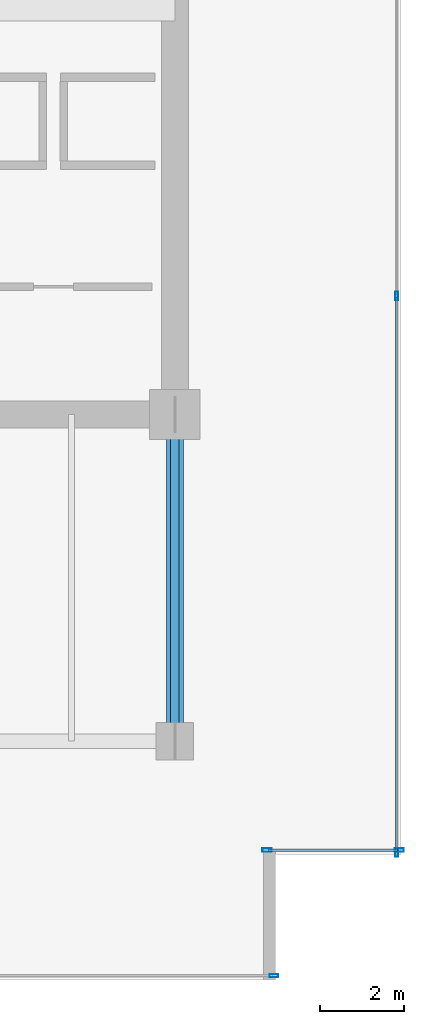
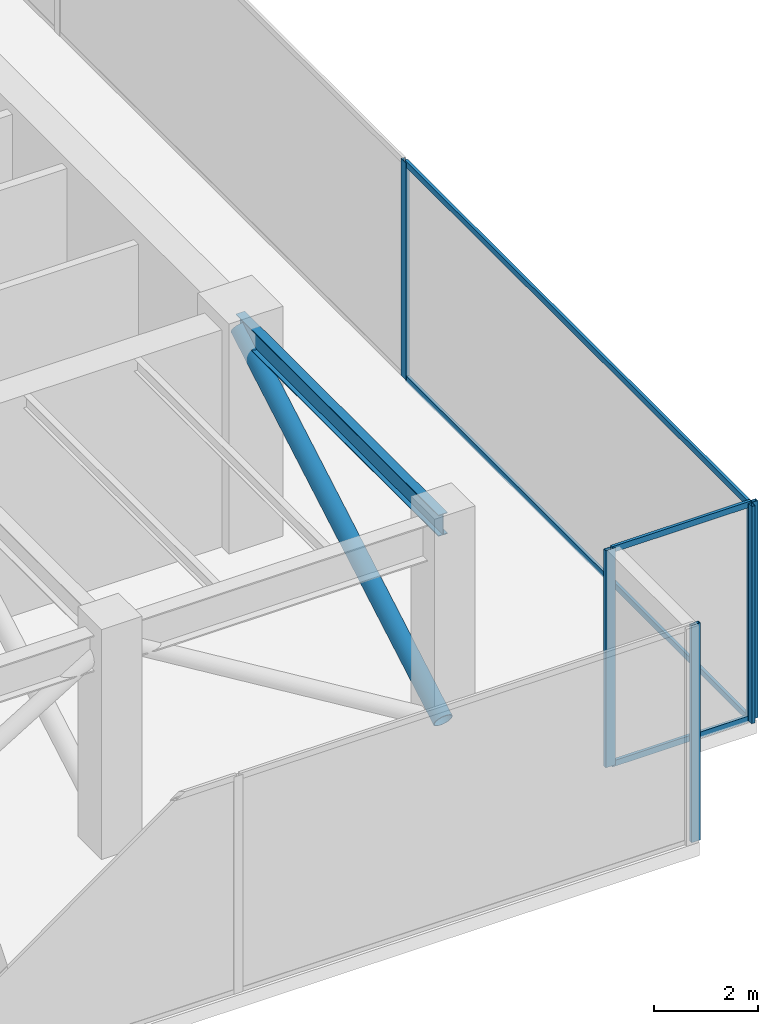
# One storey, part 21 of 34: 10 members, 1 beam, 3 elements without a shape of their own.
"""IFC4 building model written with IfcOpenShell, lengths in metres."""

from ifc_helpers import new_model, si_unit, direction, frame, origin, origin_2d, place, context, subcontext, project, spatial, hollow_rectangle, hollow_circle, i_section, extrude, source, transform, mapped, material, layer, layer_set, material_profile, profile_set, type_object, type_shapes, element, aggregate, save


model = new_model("IFC4")

# Units and contexts
model_context = context("Model", 3, precision=1e-05, world=origin(), true_north=direction((0.0, 1.0)))
body_context = subcontext(model_context, "Body", "Model", "MODEL_VIEW")
ifc_project = project(units=[si_unit("LENGTHUNIT", "METRE"), si_unit("AREAUNIT", "SQUARE_METRE"), si_unit("VOLUMEUNIT", "CUBIC_METRE"), si_unit("PLANEANGLEUNIT", "RADIAN"), si_unit("MASSUNIT", "GRAM", prefix="KILO")], contexts=[model_context])

# Site, building, storey
site_placement = place(None, origin())
site = spatial("IfcSite", under=ifc_project, at=site_placement, CompositionType="ELEMENT")
building_placement = place(site_placement, origin())
building = spatial("IfcBuilding", under=site, at=building_placement, Name="Haelvirn Gate Laboratories", CompositionType="ELEMENT")
storey_placement = place(building_placement, frame((0.0, 0.0, 191.199951171875)))
storey = spatial("IfcBuildingStorey", under=building, at=storey_placement, Name="L46", CompositionType="ELEMENT", Elevation=191.199951171875)

# Beam
ifc_material_1 = material(Name="Steel SM355", Category="steel")
ifc_material_profile_1 = material_profile(ifc_material_1, i_section(OverallWidth=0.199951171875, OverallDepth=0.5, WebThickness=0.010009765625, FlangeThickness=0.01611328125, at=origin_2d()), Name="H-500x200x10x16")
ifc_profile_set_1 = profile_set([ifc_material_profile_1], Name="Steel SM355")
beam_type = type_object("IfcBeamType", Name="BM-SP-500", PredefinedType="SPANDREL", material=ifc_profile_set_1)
shared_shape_1 = source(origin(), body_context, "Body", "SweptSolid", [
    extrude(i_section(OverallWidth=0.199951171875, OverallDepth=0.5, WebThickness=0.010009765625, FlangeThickness=0.01611328125, at=origin_2d()), origin(), (0.0, 0.0, 1.0), 7.800048828125),
])
type_shapes(beam_type, [shared_shape_1])
beam_placement = place(storey_placement, frame((67.39990234375, 7.0, 4.85009765625), z_axis=(0.0, 1.0, 0.0), x_axis=(-1.0, 0.0, 0.0)))
element("IfcBeam", 1, at=beam_placement, inside=storey, type_object=beam_type, Name="L46 Perimeter Spandrel X67.4 (7.0-14.8)", PredefinedType="SPANDREL", context=body_context, shape_type="MappedRepresentation", body=[
    mapped(shared_shape_1, transform((0.0, 0.0, 0.0), scale=1.0)),
])

# Member
ifc_material_2 = material(Name="Steel SM420", Category="steel")
ifc_material_profile_2 = material_profile(ifc_material_2, hollow_circle(Radius=0.203125, WallThickness=0.01611328125, at=origin_2d()), Name="CHS-406x16")
ifc_profile_set_2 = profile_set([ifc_material_profile_2], Name="Steel SM420")
member_type_1 = type_object("IfcMemberType", Name="MEM-OUTRIG-2", PredefinedType="BRACE", material=ifc_profile_set_2)
shared_shape_2 = source(origin(), body_context, "Body", "SweptSolid", [
    extrude(hollow_circle(Radius=0.203125, WallThickness=0.01611328125, at=origin_2d()), origin(), (0.0, 0.0, 1.0), 9.005126953125),
])
type_shapes(member_type_1, [shared_shape_2])
member_1_placement = place(storey_placement, frame((67.39990234375, 14.800048828125, 4.75), z_axis=(0.0, -0.866186940118, -0.499720106428), x_axis=(1.0, 0.0, 0.0)))
element("IfcMember", 2, at=member_1_placement, inside=storey, type_object=member_type_1, Name="L46 Outrigger Truss Arm ES2", PredefinedType="BRACE", context=body_context, shape_type="MappedRepresentation", body=[
    mapped(shared_shape_2, transform((0.0, 0.0, 0.0), scale=1.0)),
])

# Curtain wall, members
ifc_material_3 = material(Name="Anodised bronze unitised aluminium & triple low-E glass", Category="aluminium")
ifc_layer_1 = layer(ifc_material_3, 0.181884765625, Name="CW-SYS-5")
ifc_layer_set_1 = layer_set([ifc_layer_1], Name="Anodised bronze unitised aluminium & triple low-E glass")
curtain_wall_type_1 = type_object("IfcCurtainWallType", Name="CW-SYS-5", PredefinedType="NOTDEFINED", material=ifc_layer_set_1)
curtain_wall_1_placement = place(storey_placement, origin())
curtain_wall_1 = element("IfcCurtainWall", 3, at=curtain_wall_1_placement, inside=storey, type_object=curtain_wall_type_1, Name="L46 Unitised Curtain Wall CW-L46-P0-E06-1", PredefinedType="NOTDEFINED")
ifc_material_4 = material(Name="Extruded aluminium 6063-T6 (anodised bronze)", Category="aluminium")
ifc_material_profile_3 = material_profile(ifc_material_4, hollow_rectangle(XDim=0.06494140625, YDim=0.139892578125, WallThickness=0.00390625, at=origin_2d()), Name="CWT-140x65x4")
ifc_profile_set_3 = profile_set([ifc_material_profile_3], Name="Extruded aluminium 6063-T6 (anodised bronze)")
member_type_2 = type_object("IfcMemberType", Name="CWT-T140", PredefinedType="USERDEFINED", material=ifc_profile_set_3)
shared_shape_3 = source(origin(), body_context, "Body", "SweptSolid", [
    extrude(hollow_rectangle(XDim=0.06494140625, YDim=0.139892578125, WallThickness=0.00390625, at=origin_2d()), origin(), (0.0, 0.0, 1.0), 3.080078125),
])
member_2_placement = place(storey_placement, frame((69.639892578125, 4.39990234375, 0.032470703125), z_axis=(1.0, 0.0, 0.0), x_axis=(0.0, 1.0, 0.0)))
member_2 = element("IfcMember", 4, at=member_2_placement, type_object=member_type_2, Name="CW5 transom 1.1", ObjectType="TRANSOM", PredefinedType="USERDEFINED", context=body_context, shape_type="MappedRepresentation", body=[
    mapped(shared_shape_3, transform((0.0, 0.0, 0.0), scale=1.0)),
])
member_3_placement = place(storey_placement, frame((69.639892578125, 4.39990234375, 5.067626953125), z_axis=(1.0, 0.0, 0.0), x_axis=(0.0, 1.0, 0.0)))
member_3 = element("IfcMember", 5, at=member_3_placement, type_object=member_type_2, Name="CW5 transom 1.2", ObjectType="TRANSOM", PredefinedType="USERDEFINED", context=body_context, shape_type="MappedRepresentation", body=[
    mapped(shared_shape_3, transform((0.0, 0.0, 0.0), scale=1.0)),
])

ifc_layer_2 = layer(ifc_material_3, 0.179931640625, Name="CW-SYS-3")
ifc_layer_set_2 = layer_set([ifc_layer_2], Name="Anodised bronze unitised aluminium & triple low-E glass")
curtain_wall_type_2 = type_object("IfcCurtainWallType", Name="CW-SYS-3", PredefinedType="NOTDEFINED", material=ifc_layer_set_2)
curtain_wall_2_placement = place(storey_placement, origin())
curtain_wall_2 = element("IfcCurtainWall", 6, at=curtain_wall_2_placement, inside=storey, type_object=curtain_wall_type_2, Name="L46 Unitised Curtain Wall CW-L46-P0-E07", PredefinedType="NOTDEFINED")
shared_shape_4 = source(origin(), body_context, "Body", "SweptSolid", [
    extrude(hollow_rectangle(XDim=0.06494140625, YDim=0.139892578125, WallThickness=0.00390625, at=origin_2d()), origin(), (0.0, 0.0, 1.0), 13.220947265625),
])
type_shapes(member_type_2, [shared_shape_3, shared_shape_4])
member_4_placement = place(storey_placement, frame((72.699951171875, 4.375, 0.032470703125), z_axis=(0.0, 1.0, 0.0), x_axis=(-1.0, 0.0, 0.0)))
member_4 = element("IfcMember", 7, at=member_4_placement, type_object=member_type_2, Name="CW3 transom 1.1", ObjectType="TRANSOM", PredefinedType="USERDEFINED", context=body_context, shape_type="MappedRepresentation", body=[
    mapped(shared_shape_4, transform((0.0, 0.0, 0.0), scale=1.0)),
])
member_5_placement = place(storey_placement, frame((72.699951171875, 4.375, 5.067626953125), z_axis=(0.0, 1.0, 0.0), x_axis=(-1.0, 0.0, 0.0)))
member_5 = element("IfcMember", 8, at=member_5_placement, type_object=member_type_2, Name="CW3 transom 1.2", ObjectType="TRANSOM", PredefinedType="USERDEFINED", context=body_context, shape_type="MappedRepresentation", body=[
    mapped(shared_shape_4, transform((0.0, 0.0, 0.0), scale=1.0)),
])

# Curtain wall, member
curtain_wall_3_placement = place(storey_placement, origin())
curtain_wall_3 = element("IfcCurtainWall", 9, at=curtain_wall_3_placement, inside=storey, type_object=curtain_wall_type_2, Name="L46 Unitised Curtain Wall CW-L46-P0-E04-1", PredefinedType="NOTDEFINED")
ifc_material_profile_4 = material_profile(ifc_material_4, hollow_rectangle(XDim=0.074951171875, YDim=0.199951171875, WallThickness=0.0048828125, at=origin_2d()), Name="CWM-200x75x5")
ifc_profile_set_4 = profile_set([ifc_material_profile_4], Name="Extruded aluminium 6063-T6 (anodised bronze)")
member_type_3 = type_object("IfcMemberType", Name="CWM-T200", PredefinedType="MULLION", material=ifc_profile_set_4)
shared_shape_5 = source(origin(), body_context, "Body", "SweptSolid", [
    extrude(hollow_rectangle(XDim=0.074951171875, YDim=0.199951171875, WallThickness=0.0048828125, at=origin_2d()), origin(), (0.0, 0.0, 1.0), 5.10009765625),
])
type_shapes(member_type_3, [shared_shape_5])
member_6_placement = place(storey_placement, frame((69.762451171875, 1.39990234375, 0.0), z_axis=(0.0, 0.0, 1.0), x_axis=(0.0, 1.0, 0.0)))
member_6 = element("IfcMember", 10, at=member_6_placement, type_object=member_type_3, Name="CW3 mullion 3", PredefinedType="MULLION", context=body_context, shape_type="MappedRepresentation", body=[
    mapped(shared_shape_5, transform((0.0, 0.0, 0.0), scale=1.0)),
])
aggregate(curtain_wall_3, [member_6])

# Member
member_7_placement = place(storey_placement, frame((72.699951171875, 4.33740234375, 0.0), z_axis=(0.0, 0.0, 1.0), x_axis=(-1.0, 0.0, 0.0)))
member_7 = element("IfcMember", 11, at=member_7_placement, type_object=member_type_3, Name="CW3 mullion 1", PredefinedType="MULLION", context=body_context, shape_type="MappedRepresentation", body=[
    mapped(shared_shape_5, transform((0.0, 0.0, 0.0), scale=1.0)),
])

member_8_placement = place(storey_placement, frame((72.699951171875, 17.63330078125, 0.0), z_axis=(0.0, 0.0, 1.0), x_axis=(-1.0, 0.0, 0.0)))
member_8 = element("IfcMember", 12, at=member_8_placement, type_object=member_type_3, Name="CW3 mullion 2", PredefinedType="MULLION", context=body_context, shape_type="MappedRepresentation", body=[
    mapped(shared_shape_5, transform((0.0, 0.0, 0.0), scale=1.0)),
])

aggregate(curtain_wall_2, [member_7, member_8, member_4, member_5])

ifc_material_profile_5 = material_profile(ifc_material_4, hollow_rectangle(XDim=0.080078125, YDim=0.219970703125, WallThickness=0.006103515625, at=origin_2d()), Name="CWM-220x80x6")
ifc_profile_set_5 = profile_set([ifc_material_profile_5], Name="Extruded aluminium 6063-T6 (anodised bronze)")
member_type_4 = type_object("IfcMemberType", Name="CWM-T220", PredefinedType="MULLION", material=ifc_profile_set_5)
shared_shape_6 = source(origin(), body_context, "Body", "SweptSolid", [
    extrude(hollow_rectangle(XDim=0.080078125, YDim=0.219970703125, WallThickness=0.006103515625, at=origin_2d()), origin(), (0.0, 0.0, 1.0), 5.10009765625),
])
type_shapes(member_type_4, [shared_shape_6])
member_9_placement = place(storey_placement, frame((69.60009765625, 4.39990234375, 0.0), z_axis=(0.0, 0.0, 1.0), x_axis=(0.0, 1.0, 0.0)))
member_9 = element("IfcMember", 13, at=member_9_placement, type_object=member_type_4, Name="CW5 mullion 1", PredefinedType="MULLION", context=body_context, shape_type="MappedRepresentation", body=[
    mapped(shared_shape_6, transform((0.0, 0.0, 0.0), scale=1.0)),
])

member_10_placement = place(storey_placement, frame((72.760009765625, 4.39990234375, 0.0), z_axis=(0.0, 0.0, 1.0), x_axis=(0.0, 1.0, 0.0)))
member_10 = element("IfcMember", 14, at=member_10_placement, type_object=member_type_4, Name="CW5 mullion 2", PredefinedType="MULLION", context=body_context, shape_type="MappedRepresentation", body=[
    mapped(shared_shape_6, transform((0.0, 0.0, 0.0), scale=1.0)),
])

aggregate(curtain_wall_1, [member_9, member_10, member_2, member_3])

save(model, "model.ifc")
